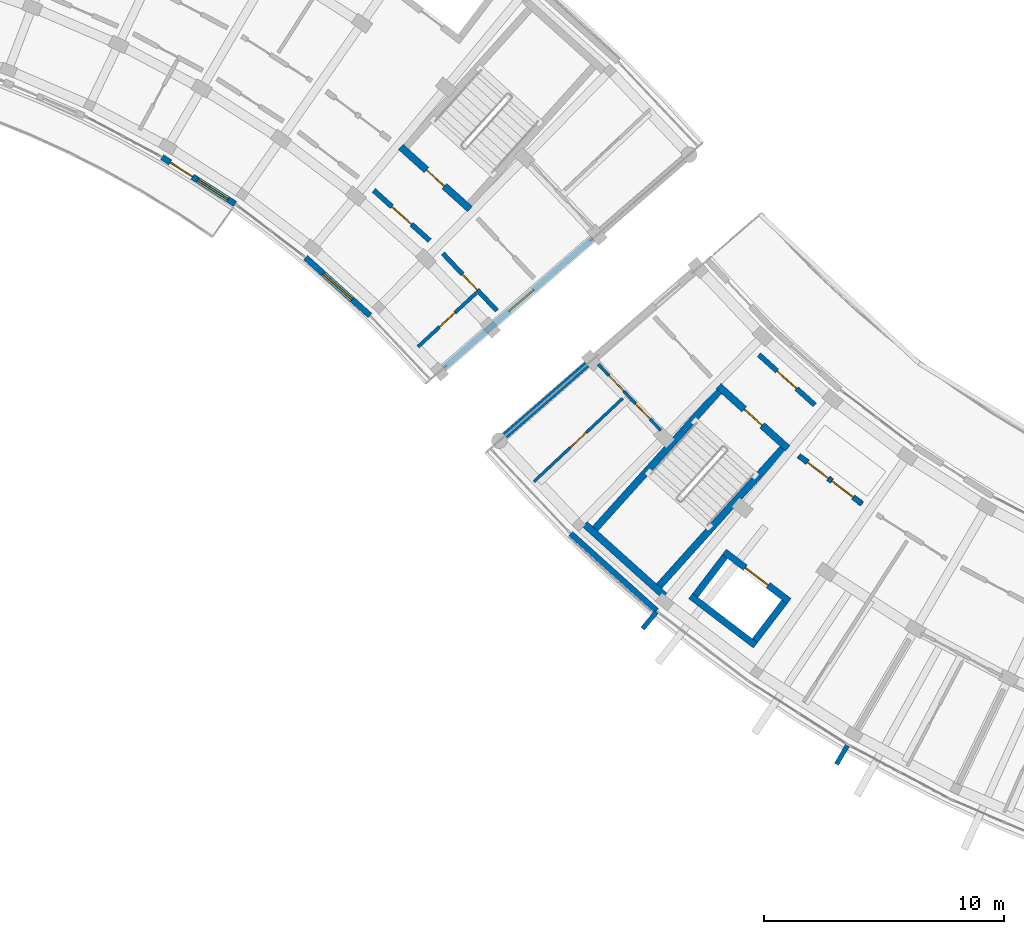
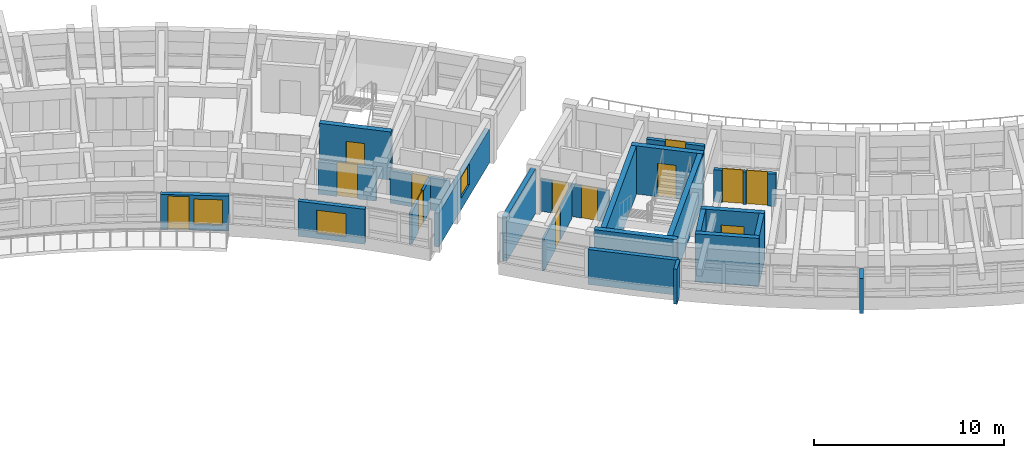
# One storey, part 32 of 54: 23 walls, 13 doors, 3 windows, 16 openings.
"""IFC4 building model written with IfcOpenShell, lengths in metres."""

from ifc_helpers import new_model, si_unit, direction, frame, frame_2d, origin, place, context, subcontext, project, spatial, rectangle, extrude, material, layer, layer_set, type_object, element, fill, save


model = new_model("IFC4")

# Units and contexts
model_context = context("Model", 3, precision=1e-05, world=origin(), true_north=direction((0.0, 1.0)))
body_context = subcontext(model_context, "Body", "Model", "MODEL_VIEW")
ifc_project = project(units=[si_unit("LENGTHUNIT", "METRE"), si_unit("AREAUNIT", "SQUARE_METRE"), si_unit("VOLUMEUNIT", "CUBIC_METRE"), si_unit("PLANEANGLEUNIT", "RADIAN"), si_unit("MASSUNIT", "GRAM", prefix="KILO")], contexts=[model_context])

# Site, building, storey
site_placement = place(None, origin())
site = spatial("IfcSite", under=ifc_project, at=site_placement, CompositionType="ELEMENT")
building_placement = place(site_placement, origin())
building = spatial("IfcBuilding", under=site, at=building_placement, Name="Zimvara Arc Housing Community", CompositionType="ELEMENT")
storey_placement = place(building_placement, frame((0.0, 0.0, 23.60009765625)))
storey = spatial("IfcBuildingStorey", under=building, at=storey_placement, Name="L07", CompositionType="ELEMENT", Elevation=23.60009765625)

# Wall, opening, window
ifc_material_1 = material(Name="Board-Marked Fair-Faced Concrete C35/45", Category="concrete")
ifc_layer_1 = layer(ifc_material_1, 0.2548828125)
ifc_layer_set_1 = layer_set([ifc_layer_1], Name="Board-Marked Fair-Faced Concrete C35/45")
wall_type_1 = type_object("IfcWallType", Name="EWL-CONC-255", PredefinedType="SOLIDWALL", material=ifc_layer_set_1)
wall_1_placement = place(storey_placement, frame((79.233642578125, 74.2587890625, 0.0), z_axis=(0.0, 0.0, 1.0), x_axis=(0.754717680958, 0.656049710044, 0.0)))
wall_1 = element("IfcWall", 1, at=wall_1_placement, inside=storey, type_object=wall_type_1, Name="ewall:blkB:L07:gN", PredefinedType="SOLIDWALL", context=body_context, shape_type="SweptSolid", body=[
    extrude(rectangle(XDim=8.199951171875, YDim=0.2548828125, at=frame_2d((4.10009765625, 0.0))), origin(), (0.0, 0.0, 1.0), 2.179931640625),
])
opening_1_placement = place(wall_1_placement, frame((3.590087890625, 0.0, 0.75)))
opening_1 = element("IfcOpeningElement", 2, at=opening_1_placement, cuts=wall_1, Name="Opening W12", PredefinedType="OPENING", context=body_context, shape_type="SweptSolid", body=[
    extrude(rectangle(XDim=1.35009765625, YDim=1.35009765625, at=frame_2d((0.675048828125, 0.675048828125))), frame((0.0, 0.137451171875, 0.0), z_axis=(0.0, -1.0, 0.0), x_axis=(1.0, 0.0, 0.0)), (0.0, 0.0, 1.0), 0.27490234375),
])
ifc_material_2 = material(Name="Solar Control Low-E Double Glazing", Category="glass")
window_type_1 = type_object("IfcWindowType", Name="WIN-RES-1350x1350", PartitioningType="DOUBLE_PANEL_VERTICAL", PredefinedType="WINDOW", material=ifc_material_2)
window_1_placement = place(opening_1_placement, origin())
window_1 = element("IfcWindow", 3, at=window_1_placement, inside=storey, type_object=window_type_1, Name="win:blkB:L07:gN:w", OverallHeight=1.35009765625, OverallWidth=1.35009765625, PartitioningType="DOUBLE_PANEL_VERTICAL", PredefinedType="WINDOW", context=body_context, shape_type="SweptSolid", body=[
    extrude(rectangle(XDim=1.35009765625, YDim=1.35009765625, at=frame_2d((0.675048828125, 0.675048828125))), frame((0.0, 0.030029296875, 0.0), z_axis=(0.0, -1.0, 0.0), x_axis=(1.0, 0.0, 0.0)), (0.0, 0.0, 1.0), 0.06005859375),
])
fill(opening_1, window_1)

# Walls
ifc_material_3 = material(Name="Board-Marked Fair-Faced Concrete C35/45", Category="concrete")
ifc_layer_2 = layer(ifc_material_3, 0.195068359375)
ifc_layer_set_2 = layer_set([ifc_layer_2], Name="Board-Marked Fair-Faced Concrete C35/45")
wall_type_2 = type_object("IfcWallType", Name="EWL-PARA-195", PredefinedType="PARAPET", material=ifc_layer_set_2)
wall_2_placement = place(storey_placement, frame((88.072265625, 64.1025390625, 0.0), z_axis=(0.0, 0.0, 1.0), x_axis=(-0.637967316825, -0.770063440674, 0.0)))
element("IfcWall", 4, at=wall_2_placement, inside=storey, type_object=wall_type_2, Name="finwall:blkC:L07:out:b2", PredefinedType="PARAPET", context=body_context, shape_type="SweptSolid", body=[
    extrude(rectangle(XDim=0.900146484375, YDim=0.195068359375, at=frame_2d((0.4501953125, 0.0))), origin(), (0.0, 0.0, 1.0), 2.25),
])
wall_3_placement = place(storey_placement, frame((96.018798828125, 58.546630859375, 0.0), z_axis=(0.0, 0.0, 1.0), x_axis=(-0.504005947934, -0.863700182035, 0.0)))
element("IfcWall", 5, at=wall_3_placement, inside=storey, type_object=wall_type_2, Name="finwall:blkC:L07:out:b4", PredefinedType="PARAPET", context=body_context, shape_type="SweptSolid", body=[
    extrude(rectangle(XDim=0.89990234375, YDim=0.195068359375, at=frame_2d((0.449951171875, 0.0))), origin(), (0.0, 0.0, 1.0), 2.25),
])

# Wall, openings, door, window
ifc_material_4 = material(Name="Pigmented Fair-Faced Concrete C35/45", Category="concrete")
ifc_layer_3 = layer(ifc_material_4, 0.2451171875)
ifc_layer_set_3 = layer_set([ifc_layer_3], Name="Pigmented Fair-Faced Concrete C35/45")
wall_type_3 = type_object("IfcWallType", Name="EWL-PIGM-245", PredefinedType="SOLIDWALL", material=ifc_layer_set_3)
wall_4_placement = place(storey_placement, frame((67.515380859375, 83.021728515625, 0.0), z_axis=(0.0, 0.0, 1.0), x_axis=(0.84225540507, -0.539078688718, 0.0)))
wall_4 = element("IfcWall", 6, at=wall_4_placement, inside=storey, type_object=wall_type_3, Name="ewall:blkB:L07:in:b6", PredefinedType="SOLIDWALL", context=body_context, shape_type="SweptSolid", body=[
    extrude(rectangle(XDim=3.603515625, YDim=0.2451171875, at=frame_2d((1.8017578125, 0.0))), origin(), (0.0, 0.0, 1.0), 2.25),
])
opening_2_placement = place(wall_4_placement, frame((0.39990234375, 0.0, 0.0)))
opening_2 = element("IfcOpeningElement", 7, at=opening_2_placement, cuts=wall_4, Name="Opening ED06", PredefinedType="OPENING", context=body_context, shape_type="SweptSolid", body=[
    extrude(rectangle(XDim=1.10009765625, YDim=2.14990234375, at=frame_2d((0.550048828125, 1.074951171875))), frame((0.0, 0.132568359375, 0.0), z_axis=(0.0, -1.0, 0.0), x_axis=(1.0, 0.0, 0.0)), (0.0, 0.0, 1.0), 0.26513671875),
])
opening_3_placement = place(wall_4_placement, frame((1.753662109375, 0.0, 0.35009765625)))
opening_3 = element("IfcOpeningElement", 8, at=opening_3_placement, cuts=wall_4, Name="Opening W07", PredefinedType="OPENING", context=body_context, shape_type="SweptSolid", body=[
    extrude(rectangle(XDim=1.5, YDim=1.64990234375, at=frame_2d((0.75, 0.824951171875))), frame((0.0, 0.132568359375, 0.0), z_axis=(0.0, -1.0, 0.0), x_axis=(1.0, 0.0, 0.0)), (0.0, 0.0, 1.0), 0.26513671875),
])
ifc_material_5 = material(Name="Anodised Aluminium AW-6063", Category="aluminium")
door_type_1 = type_object("IfcDoorType", Name="EDR-TERR-1100x2150", OperationType="NOTDEFINED", PredefinedType="DOOR", material=ifc_material_5)
door_1_placement = place(opening_2_placement, origin())
door_1 = element("IfcDoor", 9, at=door_1_placement, inside=storey, type_object=door_type_1, Name="edoor:blkB:L07:bal_in:b6", OperationType="SINGLE_SWING_RIGHT", OverallHeight=2.14990234375, OverallWidth=1.10009765625, PredefinedType="DOOR", context=body_context, shape_type="SweptSolid", body=[
    extrude(rectangle(XDim=1.10009765625, YDim=2.14990234375, at=frame_2d((0.550048828125, 1.074951171875))), frame((0.0, 0.02490234375, 0.0), z_axis=(0.0, -1.0, 0.0), x_axis=(1.0, 0.0, 0.0)), (0.0, 0.0, 1.0), 0.050048828125),
])
fill(opening_2, door_1)
ifc_material_6 = material(Name="Solar Control Low-E Double Glazing", Category="glass")
window_type_2 = type_object("IfcWindowType", Name="WIN-RES-1500x1650", PartitioningType="DOUBLE_PANEL_VERTICAL", PredefinedType="WINDOW", material=ifc_material_6)
window_2_placement = place(opening_3_placement, origin())
window_2 = element("IfcWindow", 10, at=window_2_placement, inside=storey, type_object=window_type_2, Name="win:blkB:L07:in:b6:balw", OverallHeight=1.64990234375, OverallWidth=1.5, PartitioningType="DOUBLE_PANEL_VERTICAL", PredefinedType="WINDOW", context=body_context, shape_type="SweptSolid", body=[
    extrude(rectangle(XDim=1.5, YDim=1.64990234375, at=frame_2d((0.75, 0.824951171875))), frame((0.0, 0.030029296875, 0.0), z_axis=(0.0, -1.0, 0.0), x_axis=(1.0, 0.0, 0.0)), (0.0, 0.0, 1.0), 0.06005859375),
])
fill(opening_3, window_2)

# Wall, opening, window
wall_5_placement = place(storey_placement, frame((73.480712890625, 78.84716796875, 0.0), z_axis=(0.0, 0.0, 1.0), x_axis=(0.743385092197, -0.668863666751, 0.0)))
wall_5 = element("IfcWall", 11, at=wall_5_placement, inside=storey, type_object=wall_type_3, Name="ewall:blkB:L07:in:b8", PredefinedType="SOLIDWALL", context=body_context, shape_type="SweptSolid", body=[
    extrude(rectangle(XDim=3.603759765625, YDim=0.2451171875, at=frame_2d((1.8017578125, 0.0))), origin(), (0.0, 0.0, 1.0), 2.25),
])
opening_4_placement = place(wall_5_placement, frame((1.001708984375, 0.0, 0.320068359375)))
opening_4 = element("IfcOpeningElement", 12, at=opening_4_placement, cuts=wall_5, Name="Opening W03", PredefinedType="OPENING", context=body_context, shape_type="SweptSolid", body=[
    extrude(rectangle(XDim=1.60009765625, YDim=1.5, at=frame_2d((0.800048828125, 0.75))), frame((0.0, 0.132568359375, 0.0), z_axis=(0.0, -1.0, 0.0), x_axis=(1.0, 0.0, 0.0)), (0.0, 0.0, 1.0), 0.26513671875),
])
ifc_material_7 = material(Name="Solar Control Low-E Double Glazing", Category="glass")
window_type_3 = type_object("IfcWindowType", Name="WIN-RES-1600x1500", PartitioningType="DOUBLE_PANEL_VERTICAL", PredefinedType="WINDOW", material=ifc_material_7)
window_3_placement = place(opening_4_placement, origin())
window_3 = element("IfcWindow", 13, at=window_3_placement, inside=storey, type_object=window_type_3, Name="win:blkB:L07:in:b8", OverallHeight=1.5, OverallWidth=1.60009765625, PartitioningType="DOUBLE_PANEL_VERTICAL", PredefinedType="WINDOW", context=body_context, shape_type="SweptSolid", body=[
    extrude(rectangle(XDim=1.60009765625, YDim=1.5, at=frame_2d((0.800048828125, 0.75))), frame((0.0, 0.030029296875, 0.0), z_axis=(0.0, -1.0, 0.0), x_axis=(1.0, 0.0, 0.0)), (0.0, 0.0, 1.0), 0.06005859375),
])
fill(opening_4, window_3)

# Wall
ifc_material_8 = material(Name="Board-Marked Fair-Faced Concrete C35/45", Category="concrete")
ifc_layer_4 = layer(ifc_material_8, 0.248046875)
ifc_layer_set_4 = layer_set([ifc_layer_4], Name="Board-Marked Fair-Faced Concrete C35/45")
wall_type_4 = type_object("IfcWallType", Name="EWL-VAR-17", PredefinedType="SOLIDWALL", material=ifc_layer_set_4)
wall_6_placement = place(storey_placement, frame((84.508056640625, 67.36328125, 0.0), z_axis=(0.0, 0.0, 1.0), x_axis=(0.743387539862, -0.668860946369, 0.0)))
element("IfcWall", 14, at=wall_6_placement, inside=storey, type_object=wall_type_4, Name="ewall:blkC:L07:out:b1", PredefinedType="SOLIDWALL", context=body_context, shape_type="SweptSolid", body=[
    extrude(rectangle(XDim=4.80908203125, YDim=0.248046875, at=frame_2d((2.404541015625, 0.0))), origin(), (0.0, 0.0, 1.0), 2.25),
])

# Wall, opening, door
ifc_material_9 = material(Name="Concrete C35/45", Category="concrete")
ifc_layer_5 = layer(ifc_material_9, 0.2099609375)
ifc_layer_set_5 = layer_set([ifc_layer_5], Name="Concrete C35/45")
wall_type_5 = type_object("IfcWallType", Name="IWL-CCF-210", PredefinedType="SOLIDWALL", material=ifc_layer_set_5)
wall_7_placement = place(storey_placement, frame((76.317138671875, 81.644287109375, 0.0), z_axis=(0.0, 0.0, 1.0), x_axis=(0.743387266925, -0.668861249718, 0.0)))
wall_7 = element("IfcWall", 15, at=wall_7_placement, inside=storey, type_object=wall_type_5, Name="iwall:blkB:L07:ccf_div:b8", PredefinedType="SOLIDWALL", context=body_context, shape_type="SweptSolid", body=[
    extrude(rectangle(XDim=3.12841796875, YDim=0.2099609375, at=frame_2d((1.564208984375, 0.0))), origin(), (0.0, 0.0, 1.0), 2.079833984375),
])
opening_5_placement = place(wall_7_placement, frame((1.014404296875, 0.0, 0.0)))
opening_5 = element("IfcOpeningElement", 16, at=opening_5_placement, cuts=wall_7, Name="Opening FD-CCF1", PredefinedType="OPENING", context=body_context, shape_type="SweptSolid", body=[
    extrude(rectangle(XDim=1.10009765625, YDim=2.14990234375, at=frame_2d((0.550048828125, 1.074951171875))), frame((0.0, 0.114990234375, 0.0), z_axis=(0.0, -1.0, 0.0), x_axis=(1.0, 0.0, 0.0)), (0.0, 0.0, 1.0), 0.22998046875),
])
ifc_material_10 = material(Name="Anodised Aluminium AW-6063", Category="aluminium")
door_type_2 = type_object("IfcDoorType", Name="IDR-CCF-1100x2150", OperationType="NOTDEFINED", PredefinedType="DOOR", material=ifc_material_10)
door_2_placement = place(opening_5_placement, origin())
door_2 = element("IfcDoor", 17, at=door_2_placement, inside=storey, type_object=door_type_2, Name="idoor:blkB:L07:ccf_in:b8", OperationType="SINGLE_SWING_RIGHT", OverallHeight=2.14990234375, OverallWidth=1.10009765625, PredefinedType="DOOR", context=body_context, shape_type="SweptSolid", body=[
    extrude(rectangle(XDim=1.10009765625, YDim=2.14990234375, at=frame_2d((0.550048828125, 1.074951171875))), frame((0.0, 0.02490234375, 0.0), z_axis=(0.0, -1.0, 0.0), x_axis=(1.0, 0.0, 0.0)), (0.0, 0.0, 1.0), 0.050048828125),
])
fill(opening_5, door_2)

wall_8_placement = place(storey_placement, frame((92.337158203125, 74.808349609375, 0.0), z_axis=(0.0, 0.0, 1.0), x_axis=(0.743348465558, -0.668904371904, 0.0)))
wall_8 = element("IfcWall", 18, at=wall_8_placement, inside=storey, type_object=wall_type_5, Name="iwall:blkC:L07:ccf_div:b1", PredefinedType="SOLIDWALL", context=body_context, shape_type="SweptSolid", body=[
    extrude(rectangle(XDim=3.128662109375, YDim=0.2099609375, at=frame_2d((1.564453125, 0.0))), origin(), (0.0, 0.0, 1.0), 2.079833984375),
])
opening_6_placement = place(wall_8_placement, frame((1.014404296875, 0.0, 0.0)))
opening_6 = element("IfcOpeningElement", 19, at=opening_6_placement, cuts=wall_8, Name="Opening FD-CCF1", PredefinedType="OPENING", context=body_context, shape_type="SweptSolid", body=[
    extrude(rectangle(XDim=1.10009765625, YDim=2.14990234375, at=frame_2d((0.550048828125, 1.074951171875))), frame((0.0, 0.114990234375, 0.0), z_axis=(0.0, -1.0, 0.0), x_axis=(1.0, 0.0, 0.0)), (0.0, 0.0, 1.0), 0.22998046875),
])
door_3_placement = place(opening_6_placement, origin())
door_3 = element("IfcDoor", 20, at=door_3_placement, inside=storey, type_object=door_type_2, Name="idoor:blkC:L07:ccf_in:b1", OperationType="SINGLE_SWING_RIGHT", OverallHeight=2.14990234375, OverallWidth=1.10009765625, PredefinedType="DOOR", context=body_context, shape_type="SweptSolid", body=[
    extrude(rectangle(XDim=1.10009765625, YDim=2.14990234375, at=frame_2d((0.550048828125, 1.074951171875))), frame((0.0, 0.02490234375, 0.0), z_axis=(0.0, -1.0, 0.0), x_axis=(1.0, 0.0, 0.0)), (0.0, 0.0, 1.0), 0.050048828125),
])
fill(opening_6, door_3)

# Wall, openings, doors
wall_9_placement = place(storey_placement, frame((94.001220703125, 70.6015625, 0.0), z_axis=(0.0, 0.0, 1.0), x_axis=(0.795498026433, -0.605956178235, 0.0)))
wall_9 = element("IfcWall", 21, at=wall_9_placement, inside=storey, type_object=wall_type_5, Name="iwall:blkC:L07:ll_div:b2", PredefinedType="SOLIDWALL", context=body_context, shape_type="SweptSolid", body=[
    extrude(rectangle(XDim=3.296142578125, YDim=0.2099609375, at=frame_2d((1.64794921875, 0.0))), origin(), (0.0, 0.0, 1.0), 2.079833984375),
])
opening_7_placement = place(wall_9_placement, frame((0.449951171875, 0.0, 0.0)))
opening_7 = element("IfcOpeningElement", 22, at=opening_7_placement, cuts=wall_9, Name="Opening FD-CCF1", PredefinedType="OPENING", context=body_context, shape_type="SweptSolid", body=[
    extrude(rectangle(XDim=1.10009765625, YDim=2.14990234375, at=frame_2d((0.550048828125, 1.074951171875))), frame((0.0, 0.114990234375, 0.0), z_axis=(0.0, -1.0, 0.0), x_axis=(1.0, 0.0, 0.0)), (0.0, 0.0, 1.0), 0.22998046875),
])
opening_8_placement = place(wall_9_placement, frame((1.72607421875, 0.0, 0.0)))
opening_8 = element("IfcOpeningElement", 23, at=opening_8_placement, cuts=wall_9, Name="Opening D07", PredefinedType="OPENING", context=body_context, shape_type="SweptSolid", body=[
    extrude(rectangle(XDim=1.1201171875, YDim=2.14990234375, at=frame_2d((0.56005859375, 1.074951171875))), frame((0.0, 0.114990234375, 0.0), z_axis=(0.0, -1.0, 0.0), x_axis=(1.0, 0.0, 0.0)), (0.0, 0.0, 1.0), 0.22998046875),
])
ifc_material_11 = material(Name="Mozambican Hardwood", Category="wood")
door_type_3 = type_object("IfcDoorType", Name="IDR-AMN-1120x2150", OperationType="NOTDEFINED", PredefinedType="DOOR", material=ifc_material_11)
door_4_placement = place(opening_8_placement, origin())
door_4 = element("IfcDoor", 24, at=door_4_placement, inside=storey, type_object=door_type_3, Name="idoor:blkC:L07:rs_in:b2", OperationType="SINGLE_SWING_RIGHT", OverallHeight=2.14990234375, OverallWidth=1.1201171875, PredefinedType="DOOR", context=body_context, shape_type="SweptSolid", body=[
    extrude(rectangle(XDim=1.1201171875, YDim=2.14990234375, at=frame_2d((0.56005859375, 1.074951171875))), frame((0.0, 0.02490234375, 0.0), z_axis=(0.0, -1.0, 0.0), x_axis=(1.0, 0.0, 0.0)), (0.0, 0.0, 1.0), 0.050048828125),
])
fill(opening_8, door_4)
door_5_placement = place(opening_7_placement, origin())
door_5 = element("IfcDoor", 25, at=door_5_placement, inside=storey, type_object=door_type_2, Name="idoor:blkC:L07:ll_in:b2", OperationType="SINGLE_SWING_LEFT", OverallHeight=2.14990234375, OverallWidth=1.10009765625, PredefinedType="DOOR", context=body_context, shape_type="SweptSolid", body=[
    extrude(rectangle(XDim=1.10009765625, YDim=2.14990234375, at=frame_2d((0.550048828125, 1.074951171875))), frame((0.0, 0.02490234375, 0.0), z_axis=(0.0, -1.0, 0.0), x_axis=(1.0, 0.0, 0.0)), (0.0, 0.0, 1.0), 0.050048828125),
])
fill(opening_7, door_5)

# Wall, opening, door
ifc_material_12 = material(Name="Concrete C35/45", Category="concrete")
ifc_layer_6 = layer(ifc_material_12, 0.18994140625)
ifc_layer_set_6 = layer_set([ifc_layer_6], Name="Concrete C35/45")
wall_type_6 = type_object("IfcWallType", Name="IWL-CORR-190", PredefinedType="SOLIDWALL", material=ifc_layer_set_6)
wall_10_placement = place(storey_placement, frame((79.1953125, 79.016357421875, 0.0), z_axis=(0.0, 0.0, 1.0), x_axis=(0.686307658735, -0.727311348434, 0.0)))
wall_10 = element("IfcWall", 26, at=wall_10_placement, inside=storey, type_object=wall_type_6, Name="iwall:blkB:L07:corr_in:b9", PredefinedType="SOLIDWALL", context=body_context, shape_type="SweptSolid", body=[
    extrude(rectangle(XDim=3.268798828125, YDim=0.18994140625, at=frame_2d((1.63427734375, 0.0))), origin(), (0.0, 0.0, 1.0), 2.079833984375),
])
opening_9_placement = place(wall_10_placement, frame((1.184326171875, 0.0, 0.0)))
opening_9 = element("IfcOpeningElement", 27, at=opening_9_placement, cuts=wall_10, Name="Opening D01", PredefinedType="OPENING", context=body_context, shape_type="SweptSolid", body=[
    extrude(rectangle(XDim=0.89990234375, YDim=2.10009765625, at=frame_2d((0.449951171875, 1.050048828125))), frame((0.0, 0.10498046875, 0.0), z_axis=(0.0, -1.0, 0.0), x_axis=(1.0, 0.0, 0.0)), (0.0, 0.0, 1.0), 0.2099609375),
])
ifc_material_13 = material(Name="Mozambican Hardwood", Category="wood")
door_type_4 = type_object("IfcDoorType", Name="IDR-RM-0900x2100", OperationType="NOTDEFINED", PredefinedType="DOOR", material=ifc_material_13)
door_6_placement = place(opening_9_placement, origin())
door_6 = element("IfcDoor", 28, at=door_6_placement, inside=storey, type_object=door_type_4, Name="idoor:blkB:L07:in_rm:b9", OperationType="SINGLE_SWING_RIGHT", OverallHeight=2.10009765625, OverallWidth=0.89990234375, PredefinedType="DOOR", context=body_context, shape_type="SweptSolid", body=[
    extrude(rectangle(XDim=0.89990234375, YDim=2.10009765625, at=frame_2d((0.449951171875, 1.050048828125))), frame((0.0, 0.02490234375, 0.0), z_axis=(0.0, -1.0, 0.0), x_axis=(1.0, 0.0, 0.0)), (0.0, 0.0, 1.0), 0.050048828125),
])
fill(opening_9, door_6)

ifc_material_14 = material(Name="Painted Acoustic Plasterboard")
ifc_layer_7 = layer(ifc_material_14, 0.1201171875)
ifc_layer_set_7 = layer_set([ifc_layer_7], Name="Painted Acoustic Plasterboard")
wall_type_7 = type_object("IfcWallType", Name="IWL-PART-120", PredefinedType="PARTITIONING", material=ifc_layer_set_7)
wall_11_placement = place(storey_placement, frame((86.66748046875, 72.9853515625, 0.0), z_axis=(0.0, 0.0, 1.0), x_axis=(-0.72936983679, -0.684119610288, 0.0)))
wall_11 = element("IfcWall", 29, at=wall_11_placement, inside=storey, type_object=wall_type_7, Name="iwall:blkC:L07:bed_div:b0", PredefinedType="PARTITIONING", context=body_context, shape_type="SweptSolid", body=[
    extrude(rectangle(XDim=5.050048828125, YDim=0.1201171875, at=frame_2d((2.52490234375, 0.0))), origin(), (0.0, 0.0, 1.0), 2.079833984375),
])
opening_10_placement = place(wall_11_placement, frame((2.06494140625, 0.0, 0.0)))
opening_10 = element("IfcOpeningElement", 30, at=opening_10_placement, cuts=wall_11, Name="Opening D02", PredefinedType="OPENING", context=body_context, shape_type="SweptSolid", body=[
    extrude(rectangle(XDim=0.919921875, YDim=2.10009765625, at=frame_2d((0.4599609375, 1.050048828125))), frame((0.0, 0.070068359375, 0.0), z_axis=(0.0, -1.0, 0.0), x_axis=(1.0, 0.0, 0.0)), (0.0, 0.0, 1.0), 0.14013671875),
])
ifc_material_15 = material(Name="Mozambican Hardwood", Category="wood")
door_type_5 = type_object("IfcDoorType", Name="IDR-RM-0920x2100", OperationType="NOTDEFINED", PredefinedType="DOOR", material=ifc_material_15)
door_7_placement = place(opening_10_placement, origin())
door_7 = element("IfcDoor", 31, at=door_7_placement, inside=storey, type_object=door_type_5, Name="idoor:blkC:L07:bed_d:b0", OperationType="SINGLE_SWING_LEFT", OverallHeight=2.10009765625, OverallWidth=0.919921875, PredefinedType="DOOR", context=body_context, shape_type="SweptSolid", body=[
    extrude(rectangle(XDim=0.919921875, YDim=2.10009765625, at=frame_2d((0.4599609375, 1.050048828125))), frame((0.0, 0.02490234375, 0.0), z_axis=(0.0, -1.0, 0.0), x_axis=(1.0, 0.0, 0.0)), (0.0, 0.0, 1.0), 0.050048828125),
])
fill(opening_10, door_7)

# Wall, openings, doors
ifc_material_16 = material(Name="Painted Acoustic Plasterboard")
ifc_layer_8 = layer(ifc_material_16, 0.125)
ifc_layer_set_8 = layer_set([ifc_layer_8], Name="Painted Acoustic Plasterboard")
wall_type_8 = type_object("IfcWallType", Name="IWL-PART-125", PredefinedType="PARTITIONING", material=ifc_layer_set_8)
wall_12_placement = place(storey_placement, frame((85.657958984375, 74.411376953125, 0.0), z_axis=(0.0, 0.0, 1.0), x_axis=(0.686364008772, -0.727258171121, 0.0)))
wall_12 = element("IfcWall", 32, at=wall_12_placement, inside=storey, type_object=wall_type_8, Name="iwall:blkC:L07:srv:b0", PredefinedType="PARTITIONING", context=body_context, shape_type="SweptSolid", body=[
    extrude(rectangle(XDim=3.784912109375, YDim=0.125, at=frame_2d((1.892578125, 0.0))), origin(), (0.0, 0.0, 1.0), 2.079833984375),
])
opening_11_placement = place(wall_12_placement, frame((0.64990234375, 0.0, 0.0)))
opening_11 = element("IfcOpeningElement", 33, at=opening_11_placement, cuts=wall_12, Name="Opening D01", PredefinedType="OPENING", context=body_context, shape_type="SweptSolid", body=[
    extrude(rectangle(XDim=0.89990234375, YDim=2.10009765625, at=frame_2d((0.449951171875, 1.050048828125))), frame((0.0, 0.072509765625, 0.0), z_axis=(0.0, -1.0, 0.0), x_axis=(1.0, 0.0, 0.0)), (0.0, 0.0, 1.0), 0.14501953125),
])
opening_12_placement = place(wall_12_placement, frame((2.255126953125, 0.0, 0.0)))
opening_12 = element("IfcOpeningElement", 34, at=opening_12_placement, cuts=wall_12, Name="Opening D05", PredefinedType="OPENING", context=body_context, shape_type="SweptSolid", body=[
    extrude(rectangle(XDim=0.8798828125, YDim=2.10009765625, at=frame_2d((0.43994140625, 1.050048828125))), frame((0.0, 0.072509765625, 0.0), z_axis=(0.0, -1.0, 0.0), x_axis=(1.0, 0.0, 0.0)), (0.0, 0.0, 1.0), 0.14501953125),
])
door_8_placement = place(opening_11_placement, origin())
door_8 = element("IfcDoor", 35, at=door_8_placement, inside=storey, type_object=door_type_4, Name="idoor:blkC:L07:kit_liv:b0", OperationType="SINGLE_SWING_LEFT", OverallHeight=2.10009765625, OverallWidth=0.89990234375, PredefinedType="DOOR", context=body_context, shape_type="SweptSolid", body=[
    extrude(rectangle(XDim=0.89990234375, YDim=2.10009765625, at=frame_2d((0.449951171875, 1.050048828125))), frame((0.0, 0.02490234375, 0.0), z_axis=(0.0, -1.0, 0.0), x_axis=(1.0, 0.0, 0.0)), (0.0, 0.0, 1.0), 0.050048828125),
])
fill(opening_11, door_8)
ifc_material_17 = material(Name="Mozambican Hardwood", Category="wood")
door_type_6 = type_object("IfcDoorType", Name="IDR-WC-0880x2100", OperationType="NOTDEFINED", PredefinedType="DOOR", material=ifc_material_17)
door_9_placement = place(opening_12_placement, origin())
door_9 = element("IfcDoor", 36, at=door_9_placement, inside=storey, type_object=door_type_6, Name="idoor:blkC:L07:bath_d:b0", OperationType="SINGLE_SWING_RIGHT", OverallHeight=2.10009765625, OverallWidth=0.8798828125, PredefinedType="DOOR", context=body_context, shape_type="SweptSolid", body=[
    extrude(rectangle(XDim=0.8798828125, YDim=2.10009765625, at=frame_2d((0.43994140625, 1.050048828125))), frame((0.0, 0.02490234375, 0.0), z_axis=(0.0, -1.0, 0.0), x_axis=(1.0, 0.0, 0.0)), (0.0, 0.0, 1.0), 0.050048828125),
])
fill(opening_12, door_9)

# Wall, opening, door
ifc_material_18 = material(Name="Painted Acoustic Plasterboard")
ifc_layer_9 = layer(ifc_material_18, 0.14501953125)
ifc_layer_set_9 = layer_set([ifc_layer_9], Name="Painted Acoustic Plasterboard")
wall_type_9 = type_object("IfcWallType", Name="IWL-WET-145", PredefinedType="PARTITIONING", material=ifc_layer_set_9)
wall_13_placement = place(storey_placement, frame((78.16259765625, 75.139404296875, 0.0), z_axis=(0.0, 0.0, 1.0), x_axis=(0.734519733107, 0.678587327967, 0.0)))
wall_13 = element("IfcWall", 37, at=wall_13_placement, inside=storey, type_object=wall_type_9, Name="iwall:blkB:L07:ens:b9", PredefinedType="PARTITIONING", context=body_context, shape_type="SweptSolid", body=[
    extrude(rectangle(XDim=3.2998046875, YDim=0.14501953125, at=frame_2d((1.64990234375, 0.0))), origin(), (0.0, 0.0, 1.0), 2.079833984375),
])
opening_13_placement = place(wall_13_placement, frame((1.2099609375, 0.0, 0.0)))
opening_13 = element("IfcOpeningElement", 38, at=opening_13_placement, cuts=wall_13, Name="Opening D05", PredefinedType="OPENING", context=body_context, shape_type="SweptSolid", body=[
    extrude(rectangle(XDim=0.8798828125, YDim=2.10009765625, at=frame_2d((0.43994140625, 1.050048828125))), frame((0.0, 0.08251953125, 0.0), z_axis=(0.0, -1.0, 0.0), x_axis=(1.0, 0.0, 0.0)), (0.0, 0.0, 1.0), 0.1650390625),
])
door_10_placement = place(opening_13_placement, origin())
door_10 = element("IfcDoor", 39, at=door_10_placement, inside=storey, type_object=door_type_6, Name="idoor:blkB:L07:ens_d:b9", OperationType="SINGLE_SWING_LEFT", OverallHeight=2.10009765625, OverallWidth=0.8798828125, PredefinedType="DOOR", context=body_context, shape_type="SweptSolid", body=[
    extrude(rectangle(XDim=0.8798828125, YDim=2.10009765625, at=frame_2d((0.43994140625, 1.050048828125))), frame((0.0, 0.02490234375, 0.0), z_axis=(0.0, -1.0, 0.0), x_axis=(1.0, 0.0, 0.0)), (0.0, 0.0, 1.0), 0.050048828125),
])
fill(opening_13, door_10)

ifc_material_19 = material(Name="Concrete C40/50", Category="concrete")
ifc_layer_10 = layer(ifc_material_19, 0.280029296875)
ifc_layer_set_10 = layer_set([ifc_layer_10], Name="Concrete C40/50")
wall_type_10 = type_object("IfcWallType", Name="WL-CORE-280", PredefinedType="SHEAR", material=ifc_layer_set_10)
wall_14_placement = place(storey_placement, frame((90.8994140625, 66.607177734375, 0.0), z_axis=(0.0, 0.0, 1.0), x_axis=(0.795439986025, -0.606032365994, 0.0)))
wall_14 = element("IfcWall", 40, at=wall_14_placement, inside=storey, type_object=wall_type_10, Name="lwall:LF-C1:L07:front", PredefinedType="SHEAR", context=body_context, shape_type="SweptSolid", body=[
    extrude(rectangle(XDim=3.389892578125, YDim=0.280029296875, at=frame_2d((1.69482421875, 0.0))), origin(), (0.0, 0.0, 1.0), 3.099853515625),
])
opening_14_placement = place(wall_14_placement, frame((1.094970703125, 0.0, 0.0)))
opening_14 = element("IfcOpeningElement", 41, at=opening_14_placement, cuts=wall_14, Name="Opening LD-LF-C1", PredefinedType="OPENING", context=body_context, shape_type="SweptSolid", body=[
    extrude(rectangle(XDim=1.199951171875, YDim=2.14990234375, at=frame_2d((0.60009765625, 1.074951171875))), frame((0.0, 0.14990234375, 0.0), z_axis=(0.0, -1.0, 0.0), x_axis=(1.0, 0.0, 0.0)), (0.0, 0.0, 1.0), 0.300048828125),
])
ifc_material_20 = material(Name="Anodised Aluminium AW-6063", Category="aluminium")
door_type_7 = type_object("IfcDoorType", Name="IDR-LD-1200x2150", OperationType="DOUBLE_DOOR_SLIDING", PredefinedType="DOOR", material=ifc_material_20)
door_11_placement = place(opening_14_placement, origin())
door_11 = element("IfcDoor", 42, at=door_11_placement, inside=storey, type_object=door_type_7, Name="Lift LF-C1 Sliding Landing Door L07", OperationType="DOUBLE_DOOR_SLIDING", OverallHeight=2.14990234375, OverallWidth=1.199951171875, PredefinedType="DOOR", context=body_context, shape_type="SweptSolid", body=[
    extrude(rectangle(XDim=1.199951171875, YDim=2.14990234375, at=frame_2d((0.60009765625, 1.074951171875))), frame((0.0, 0.02490234375, 0.0), z_axis=(0.0, -1.0, 0.0), x_axis=(1.0, 0.0, 0.0)), (0.0, 0.0, 1.0), 0.050048828125),
])
fill(opening_14, door_11)

# Walls
wall_15_placement = place(storey_placement, frame((89.49951171875, 64.76953125, 0.0), z_axis=(0.0, 0.0, 1.0), x_axis=(0.795474703455, -0.605986795371, 0.0)))
element("IfcWall", 43, at=wall_15_placement, inside=storey, type_object=wall_type_10, Name="lwall:LF-C1:L07:back", PredefinedType="SHEAR", context=body_context, shape_type="SweptSolid", body=[
    extrude(rectangle(XDim=3.389892578125, YDim=0.280029296875, at=frame_2d((1.69482421875, 0.0))), origin(), (0.0, 0.0, 1.0), 3.099853515625),
])
wall_16_placement = place(storey_placement, frame((90.92578125, 66.410888671875, 0.0), z_axis=(0.0, 0.0, 1.0), x_axis=(-0.605948992168, -0.795503500238, 0.0)))
element("IfcWall", 44, at=wall_16_placement, inside=storey, type_object=wall_type_10, Name="lwall:LF-C1:L07:left", PredefinedType="SHEAR", context=body_context, shape_type="SweptSolid", body=[
    extrude(rectangle(XDim=2.02978515625, YDim=0.280029296875, at=frame_2d((1.014892578125, 0.0))), origin(), (0.0, 0.0, 1.0), 3.099853515625),
])
wall_17_placement = place(storey_placement, frame((93.399658203125, 64.5263671875, 0.0), z_axis=(0.0, 0.0, 1.0), x_axis=(-0.605891019062, -0.795547656033, 0.0)))
element("IfcWall", 45, at=wall_17_placement, inside=storey, type_object=wall_type_10, Name="lwall:LF-C1:L07:right", PredefinedType="SHEAR", context=body_context, shape_type="SweptSolid", body=[
    extrude(rectangle(XDim=2.030029296875, YDim=0.280029296875, at=frame_2d((1.01513671875, 0.0))), origin(), (0.0, 0.0, 1.0), 3.099853515625),
])

# Wall, opening, door
ifc_material_21 = material(Name="Concrete C40/50", Category="concrete")
ifc_layer_11 = layer(ifc_material_21, 0.300048828125)
ifc_layer_set_11 = layer_set([ifc_layer_11], Name="Concrete C40/50")
wall_type_11 = type_object("IfcWallType", Name="WL-CORE-300", PredefinedType="SHEAR", material=ifc_layer_set_11)
wall_18_placement = place(storey_placement, frame((80.320068359375, 80.861572265625, 0.0), z_axis=(0.0, 0.0, 1.0), x_axis=(-0.743375696158, 0.668874109501, 0.0)))
wall_18 = element("IfcWall", 46, at=wall_18_placement, inside=storey, type_object=wall_type_11, Name="cwall:ST-B2:L07:near", PredefinedType="SHEAR", context=body_context, shape_type="SweptSolid", body=[
    extrude(rectangle(XDim=3.8701171875, YDim=0.300048828125, at=frame_2d((1.93505859375, 0.0))), origin(), (0.0, 0.0, 1.0), 3.099853515625),
])
opening_15_placement = place(wall_18_placement, frame((1.43505859375, 0.0, 0.0)))
opening_15 = element("IfcOpeningElement", 47, at=opening_15_placement, cuts=wall_18, Name="Opening FD-ST1", PredefinedType="OPENING", context=body_context, shape_type="SweptSolid", body=[
    extrude(rectangle(XDim=1.0, YDim=2.14990234375, at=frame_2d((0.5, 1.074951171875))), frame((0.0, 0.159912109375, 0.0), z_axis=(0.0, -1.0, 0.0), x_axis=(1.0, 0.0, 0.0)), (0.0, 0.0, 1.0), 0.320068359375),
])
ifc_material_22 = material(Name="Anodised Aluminium AW-6063", Category="aluminium")
door_type_8 = type_object("IfcDoorType", Name="IDR-ST-1000x2150", OperationType="NOTDEFINED", PredefinedType="DOOR", material=ifc_material_22)
door_12_placement = place(opening_15_placement, origin())
door_12 = element("IfcDoor", 48, at=door_12_placement, inside=storey, type_object=door_type_8, Name="idoor:ST-B2:L07:entry", OperationType="SINGLE_SWING_LEFT", OverallHeight=2.14990234375, OverallWidth=1.0, PredefinedType="DOOR", context=body_context, shape_type="SweptSolid", body=[
    extrude(rectangle(XDim=1.0, YDim=2.14990234375, at=frame_2d((0.5, 1.074951171875))), frame((0.0, 0.02490234375, 0.0), z_axis=(0.0, -1.0, 0.0), x_axis=(1.0, 0.0, 0.0)), (0.0, 0.0, 1.0), 0.050048828125),
])
fill(opening_15, door_12)

wall_19_placement = place(storey_placement, frame((90.659912109375, 73.49853515625, 0.0), z_axis=(0.0, 0.0, 1.0), x_axis=(0.743375696158, -0.668874109501, 0.0)))
wall_19 = element("IfcWall", 49, at=wall_19_placement, inside=storey, type_object=wall_type_11, Name="cwall:ST-C1:L07:near", PredefinedType="SHEAR", context=body_context, shape_type="SweptSolid", body=[
    extrude(rectangle(XDim=3.8701171875, YDim=0.300048828125, at=frame_2d((1.93505859375, 0.0))), origin(), (0.0, 0.0, 1.0), 3.099853515625),
])
opening_16_placement = place(wall_19_placement, frame((1.43505859375, 0.0, 0.0)))
opening_16 = element("IfcOpeningElement", 50, at=opening_16_placement, cuts=wall_19, Name="Opening FD-ST1", PredefinedType="OPENING", context=body_context, shape_type="SweptSolid", body=[
    extrude(rectangle(XDim=1.0, YDim=2.14990234375, at=frame_2d((0.5, 1.074951171875))), frame((0.0, 0.159912109375, 0.0), z_axis=(0.0, -1.0, 0.0), x_axis=(1.0, 0.0, 0.0)), (0.0, 0.0, 1.0), 0.320068359375),
])
door_13_placement = place(opening_16_placement, origin())
door_13 = element("IfcDoor", 51, at=door_13_placement, inside=storey, type_object=door_type_8, Name="idoor:ST-C1:L07:entry", OperationType="SINGLE_SWING_LEFT", OverallHeight=2.14990234375, OverallWidth=1.0, PredefinedType="DOOR", context=body_context, shape_type="SweptSolid", body=[
    extrude(rectangle(XDim=1.0, YDim=2.14990234375, at=frame_2d((0.5, 1.074951171875))), frame((0.0, 0.02490234375, 0.0), z_axis=(0.0, -1.0, 0.0), x_axis=(1.0, 0.0, 0.0)), (0.0, 0.0, 1.0), 0.050048828125),
])
fill(opening_16, door_13)

# Walls
wall_20_placement = place(storey_placement, frame((85.092529296875, 67.759521484375, 0.0), z_axis=(0.0, 0.0, 1.0), x_axis=(0.743372896184, -0.668877221333, 0.0)))
element("IfcWall", 52, at=wall_20_placement, inside=storey, type_object=wall_type_11, Name="cwall:ST-C1:L07:far", PredefinedType="SHEAR", context=body_context, shape_type="SweptSolid", body=[
    extrude(rectangle(XDim=4.47021484375, YDim=0.300048828125, at=frame_2d((2.235107421875, 0.0))), origin(), (0.0, 0.0, 1.0), 3.099853515625),
])
wall_21_placement = place(storey_placement, frame((90.671142578125, 73.28662109375, 0.0), z_axis=(0.0, 0.0, 1.0), x_axis=(-0.668885797871, -0.743365179038, 0.0)))
element("IfcWall", 53, at=wall_21_placement, inside=storey, type_object=wall_type_11, Name="cwall:ST-C1:L07:left", PredefinedType="SHEAR", context=body_context, shape_type="SweptSolid", body=[
    extrude(rectangle(XDim=7.690185546875, YDim=0.300048828125, at=frame_2d((3.84521484375, 0.0))), origin(), (0.0, 0.0, 1.0), 3.099853515625),
])
wall_22_placement = place(storey_placement, frame((93.324951171875, 70.898681640625, 0.0), z_axis=(0.0, 0.0, 1.0), x_axis=(-0.668868253964, -0.743380964808, 0.0)))
element("IfcWall", 54, at=wall_22_placement, inside=storey, type_object=wall_type_11, Name="cwall:ST-C1:L07:right", PredefinedType="SHEAR", context=body_context, shape_type="SweptSolid", body=[
    extrude(rectangle(XDim=7.68994140625, YDim=0.300048828125, at=frame_2d((3.844970703125, 0.0))), origin(), (0.0, 0.0, 1.0), 3.099853515625),
])
ifc_material_23 = material(Name="Concrete C40/50", Category="concrete")
ifc_layer_12 = layer(ifc_material_23, 0.27001953125)
ifc_layer_set_12 = layer_set([ifc_layer_12], Name="Concrete C40/50")
wall_type_12 = type_object("IfcWallType", Name="WL-SHEAR-270", PredefinedType="SHEAR", material=ifc_layer_set_12)
wall_23_placement = place(storey_placement, frame((85.24072265625, 74.446044921875, 0.0), z_axis=(0.0, 0.0, 1.0), x_axis=(-0.754703505217, -0.65606601742, 0.0)))
element("IfcWall", 55, at=wall_23_placement, inside=storey, type_object=wall_type_12, Name="swall:blkC:L07:west", PredefinedType="SHEAR", context=body_context, shape_type="SweptSolid", body=[
    extrude(rectangle(XDim=4.719970703125, YDim=0.27001953125, at=frame_2d((2.35986328125, 0.0))), origin(), (0.0, 0.0, 1.0), 2.85986328125),
])

save(model, "model.ifc")
